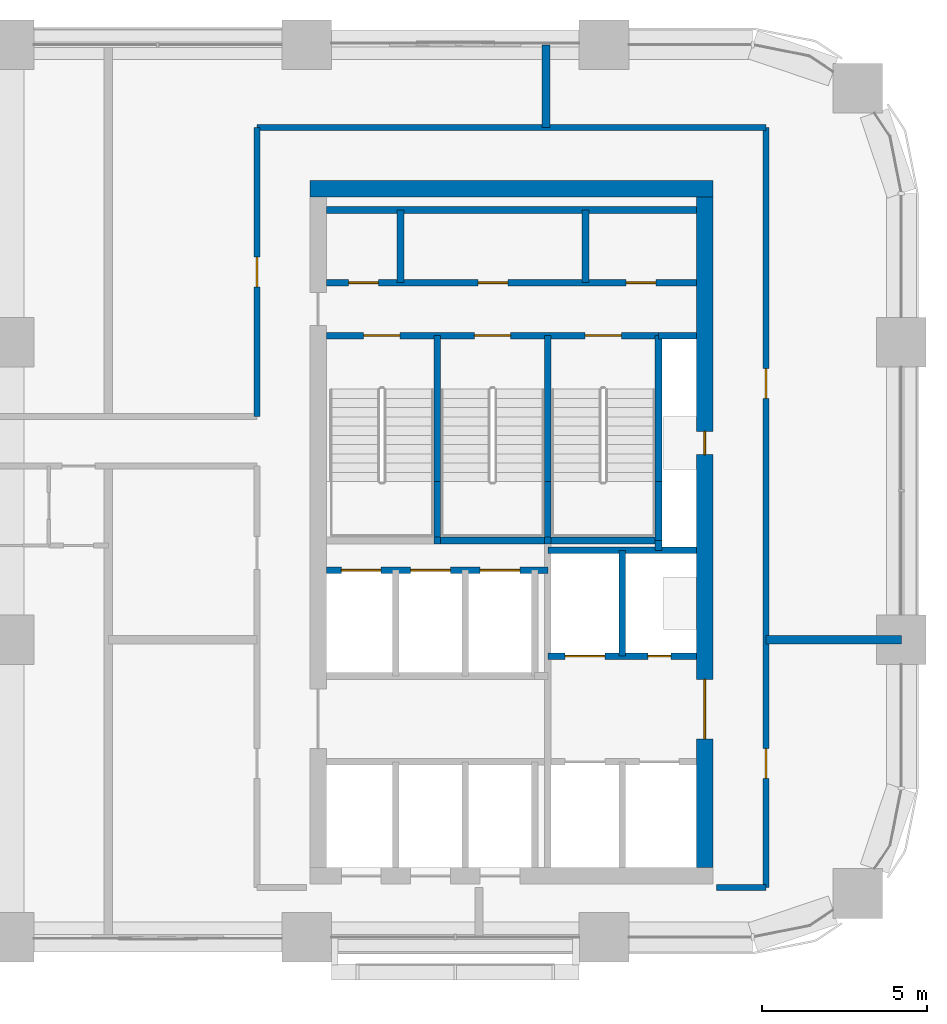
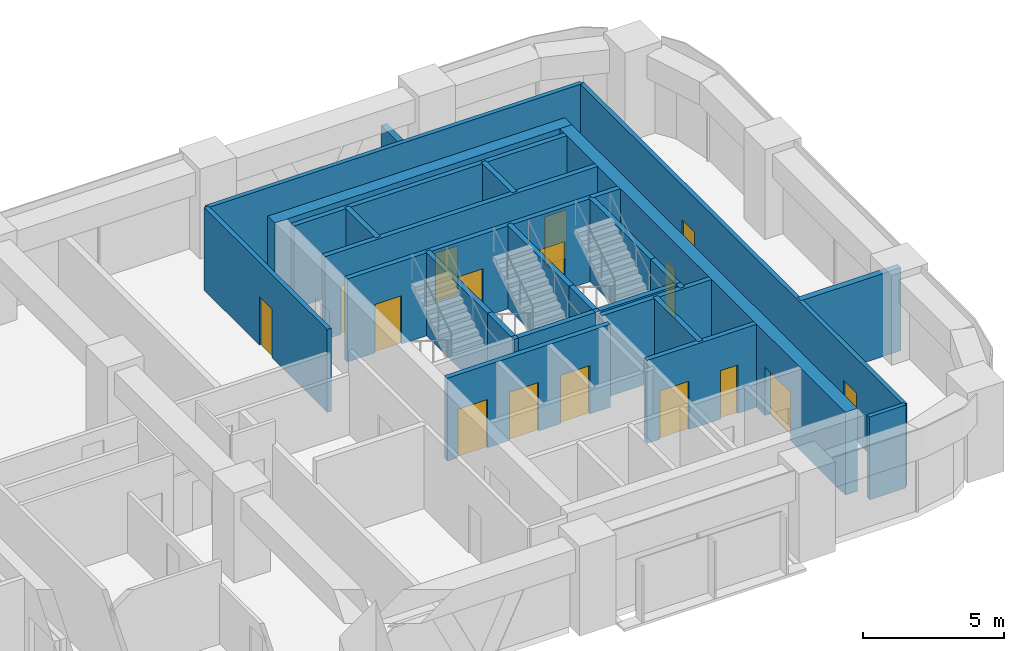
# One storey, part 10 of 13: 29 walls, 16 doors, 16 openings.
"""IFC4 building model written with IfcOpenShell, lengths in metres."""

from ifc_helpers import new_model, si_unit, direction, frame, frame_2d, origin, place, context, subcontext, project, spatial, rectangle, extrude, material, layer, layer_set, type_object, element, fill, save


model = new_model("IFC4")

# Units and contexts
model_context = context("Model", 3, precision=1e-05, world=origin(), true_north=direction((0.0, 1.0)))
body_context = subcontext(model_context, "Body", "Model", "MODEL_VIEW")
ifc_project = project(units=[si_unit("LENGTHUNIT", "METRE"), si_unit("AREAUNIT", "SQUARE_METRE"), si_unit("VOLUMEUNIT", "CUBIC_METRE"), si_unit("PLANEANGLEUNIT", "RADIAN"), si_unit("MASSUNIT", "GRAM", prefix="KILO")], contexts=[model_context])

# Site, building, storey
site_placement = place(None, origin())
site = spatial("IfcSite", under=ifc_project, at=site_placement, CompositionType="ELEMENT")
building_placement = place(site_placement, origin())
building = spatial("IfcBuilding", under=site, at=building_placement, Name="Tessera Arch", CompositionType="ELEMENT")
storey_placement = place(building_placement, frame((0.0, 0.0, 158.300048828125)))
storey = spatial("IfcBuildingStorey", under=building, at=storey_placement, Name="L37", CompositionType="ELEMENT", Elevation=158.300048828125)

# Walls
ifc_material_1 = material(Name="Gypsum board on steel stud", Category="steel")
ifc_layer_1 = layer(ifc_material_1, 0.125)
ifc_layer_set_1 = layer_set([ifc_layer_1], Name="Core partition 125 EI 60")
wall_type_1 = type_object("IfcWallType", Name="Core partition 125 EI 60", PredefinedType="PARTITIONING", material=ifc_layer_set_1)
for number, where, z_axis, x_axis, name in (
    (1, (38.840087890625, 46.800048828125, 0.0), (0.0, 0.0, 1.0), (0.0, 1.0, 0.0), "L37 C1 partition wall 3"),
    (2, (44.43994140625, 46.800048828125, 0.0), (0.0, 0.0, 1.0), (0.0, 1.0, 0.0), "L37 C1 partition wall 13"),
):
    element("IfcWall", number, at=place(storey_placement, frame(where, z_axis=z_axis, x_axis=x_axis)), inside=storey, type_object=wall_type_1, Name=name, PredefinedType="PARTITIONING", context=body_context, shape_type="SweptSolid", body=[
        extrude(rectangle(XDim=2.199951171875, YDim=0.199951171875, at=frame_2d((1.10009765625, 0.0))), origin(), (0.0, 0.0, 1.0), 3.599853515625),
    ])

# Wall, openings, doors
wall_1_placement = place(storey_placement, frame((36.60009765625, 46.800048828125, 0.0), z_axis=(0.0, 0.0, 1.0), x_axis=(1.0, 0.0, 0.0)))
wall_1 = element("IfcWall", 3, at=wall_1_placement, inside=storey, type_object=wall_type_1, Name="L37 C1 partition wall 32", PredefinedType="PARTITIONING", context=body_context, shape_type="SweptSolid", body=[
    extrude(rectangle(XDim=11.199951171875, YDim=0.199951171875, at=frame_2d((5.60009765625, 0.0))), origin(), (0.0, 0.0, 1.0), 3.599853515625),
])
opening_1_placement = place(wall_1_placement, frame((0.669921875, 0.0, 0.0)))
opening_1 = element("IfcOpeningElement", 4, at=opening_1_placement, cuts=wall_1, Name="Opening L37-C18", PredefinedType="OPENING", context=body_context, shape_type="SweptSolid", body=[
    extrude(rectangle(XDim=0.89990234375, YDim=2.10009765625, at=frame_2d((0.449951171875, 1.050048828125))), frame((0.0, 0.10986328125, 0.0), z_axis=(0.0, -1.0, 0.0), x_axis=(1.0, 0.0, 0.0)), (0.0, 0.0, 1.0), 0.219970703125),
])
opening_2_placement = place(wall_1_placement, frame((4.590087890625, 0.0, 0.0)))
opening_2 = element("IfcOpeningElement", 5, at=opening_2_placement, cuts=wall_1, Name="Opening L37-C19", PredefinedType="OPENING", context=body_context, shape_type="SweptSolid", body=[
    extrude(rectangle(XDim=0.89990234375, YDim=2.10009765625, at=frame_2d((0.449951171875, 1.050048828125))), frame((0.0, 0.10986328125, 0.0), z_axis=(0.0, -1.0, 0.0), x_axis=(1.0, 0.0, 0.0)), (0.0, 0.0, 1.0), 0.219970703125),
])
opening_3_placement = place(wall_1_placement, frame((9.070068359375, 0.0, 0.0)))
opening_3 = element("IfcOpeningElement", 6, at=opening_3_placement, cuts=wall_1, Name="Opening L37-C20", PredefinedType="OPENING", context=body_context, shape_type="SweptSolid", body=[
    extrude(rectangle(XDim=0.89990234375, YDim=2.10009765625, at=frame_2d((0.449951171875, 1.050048828125))), frame((0.0, 0.10986328125, 0.0), z_axis=(0.0, -1.0, 0.0), x_axis=(1.0, 0.0, 0.0)), (0.0, 0.0, 1.0), 0.219970703125),
])
ifc_material_2 = material(Name="Steel door leaf", Category="steel")
door_type_1 = type_object("IfcDoorType", Name="Store door FD30S 900 x 2100", OperationType="SINGLE_SWING_LEFT", PredefinedType="DOOR", material=ifc_material_2)
door_1_placement = place(opening_1_placement, origin())
door_1 = element("IfcDoor", 7, at=door_1_placement, inside=storey, type_object=door_type_1, Name="L37 C1 door 18 C18 type D09", OperationType="SINGLE_SWING_LEFT", OverallHeight=2.10009765625, OverallWidth=0.89990234375, PredefinedType="DOOR", context=body_context, shape_type="SweptSolid", body=[
    extrude(rectangle(XDim=0.89990234375, YDim=2.10009765625, at=frame_2d((0.449951171875, 1.050048828125))), frame((0.0, 0.02490234375, 0.0), z_axis=(0.0, -1.0, 0.0), x_axis=(1.0, 0.0, 0.0)), (0.0, 0.0, 1.0), 0.050048828125),
])
fill(opening_1, door_1)
door_2_placement = place(opening_2_placement, origin())
door_2 = element("IfcDoor", 8, at=door_2_placement, inside=storey, type_object=door_type_1, Name="L37 C1 door 19 C19 type D09", OperationType="SINGLE_SWING_LEFT", OverallHeight=2.10009765625, OverallWidth=0.89990234375, PredefinedType="DOOR", context=body_context, shape_type="SweptSolid", body=[
    extrude(rectangle(XDim=0.89990234375, YDim=2.10009765625, at=frame_2d((0.449951171875, 1.050048828125))), frame((0.0, 0.02490234375, 0.0), z_axis=(0.0, -1.0, 0.0), x_axis=(1.0, 0.0, 0.0)), (0.0, 0.0, 1.0), 0.050048828125),
])
fill(opening_2, door_2)
door_3_placement = place(opening_3_placement, origin())
door_3 = element("IfcDoor", 9, at=door_3_placement, inside=storey, type_object=door_type_1, Name="L37 C1 door 20 C20 type D09", OperationType="SINGLE_SWING_RIGHT", OverallHeight=2.10009765625, OverallWidth=0.89990234375, PredefinedType="DOOR", context=body_context, shape_type="SweptSolid", body=[
    extrude(rectangle(XDim=0.89990234375, YDim=2.10009765625, at=frame_2d((0.449951171875, 1.050048828125))), frame((0.0, 0.02490234375, 0.0), z_axis=(0.0, -1.0, 0.0), x_axis=(1.0, 0.0, 0.0)), (0.0, 0.0, 1.0), 0.050048828125),
])
fill(opening_3, door_3)

# Walls
wall_2_placement = place(storey_placement, frame((36.60009765625, 49.0, 0.0), z_axis=(0.0, 0.0, 1.0), x_axis=(1.0, 0.0, 0.0)))
element("IfcWall", 10, at=wall_2_placement, inside=storey, type_object=wall_type_1, Name="L37 C1 partition wall 33", PredefinedType="PARTITIONING", context=body_context, shape_type="SweptSolid", body=[
    extrude(rectangle(XDim=11.199951171875, YDim=0.199951171875, at=frame_2d((5.60009765625, 0.0))), origin(), (0.0, 0.0, 1.0), 3.599853515625),
])
ifc_material_3 = material(Name="Concrete C60/75", Category="concrete")
ifc_layer_2 = layer(ifc_material_3, 0.5)
ifc_layer_set_2 = layer_set([ifc_layer_2], Name="Core shell wall 500 C60-75")
wall_type_2 = type_object("IfcWallType", Name="Core shell wall 500 C60-75", PredefinedType="SHEAR", material=ifc_layer_set_2)
wall_3_placement = place(storey_placement, frame((36.10009765625, 49.64990234375, 0.0), z_axis=(0.0, 0.0, 1.0), x_axis=(1.0, 0.0, 0.0)))
element("IfcWall", 11, at=wall_3_placement, inside=storey, type_object=wall_type_2, Name="L37 C1 core wall N", PredefinedType="SHEAR", context=body_context, shape_type="SweptSolid", body=[
    extrude(rectangle(XDim=12.199951171875, YDim=0.5, at=frame_2d((6.10009765625, 0.0))), origin(), (0.0, 0.0, 1.0), 3.599853515625),
])

# Wall, openings, doors
wall_4_placement = place(storey_placement, frame((48.050048828125, 29.10009765625, 0.0), z_axis=(0.0, 0.0, 1.0), x_axis=(0.0, 1.0, 0.0)))
wall_4 = element("IfcWall", 12, at=wall_4_placement, inside=storey, type_object=wall_type_2, Name="L37 C1 core wall E", PredefinedType="SHEAR", context=body_context, shape_type="SweptSolid", body=[
    extrude(rectangle(XDim=20.2998046875, YDim=0.5, at=frame_2d((10.14990234375, 0.0))), origin(), (0.0, 0.0, 1.0), 3.599853515625),
])
opening_4_placement = place(wall_4_placement, frame((12.5, 0.0, 0.0)))
opening_4 = element("IfcOpeningElement", 13, at=opening_4_placement, cuts=wall_4, Name="Opening L37-C14", PredefinedType="OPENING", context=body_context, shape_type="SweptSolid", body=[
    extrude(rectangle(XDim=0.699951171875, YDim=2.10009765625, at=frame_2d((0.35009765625, 1.050048828125))), frame((0.0, 0.260009765625, 0.0), z_axis=(0.0, -1.0, 0.0), x_axis=(1.0, 0.0, 0.0)), (0.0, 0.0, 1.0), 0.52001953125),
])
opening_5_placement = place(wall_4_placement, frame((3.89990234375, 0.0, 0.0)))
opening_5 = element("IfcOpeningElement", 14, at=opening_5_placement, cuts=wall_4, Name="Opening L37-C15", PredefinedType="OPENING", context=body_context, shape_type="SweptSolid", body=[
    extrude(rectangle(XDim=1.800048828125, YDim=2.10009765625, at=frame_2d((0.89990234375, 1.050048828125))), frame((0.0, 0.260009765625, 0.0), z_axis=(0.0, -1.0, 0.0), x_axis=(1.0, 0.0, 0.0)), (0.0, 0.0, 1.0), 0.52001953125),
])
ifc_material_4 = material(Name="Glazed steel door leaf", Category="steel")
door_type_2 = type_object("IfcDoorType", Name="Lobby double door FD60 1800 x 2100", OperationType="DOUBLE_DOOR_SINGLE_SWING", PredefinedType="DOOR", material=ifc_material_4)
door_4_placement = place(opening_5_placement, origin())
door_4 = element("IfcDoor", 15, at=door_4_placement, inside=storey, type_object=door_type_2, Name="L37 C1 door 15 C15 type D19", OperationType="DOUBLE_DOOR_SINGLE_SWING", OverallHeight=2.10009765625, OverallWidth=1.800048828125, PredefinedType="DOOR", context=body_context, shape_type="SweptSolid", body=[
    extrude(rectangle(XDim=1.800048828125, YDim=2.10009765625, at=frame_2d((0.89990234375, 1.050048828125))), frame((0.0, 0.02490234375, 0.0), z_axis=(0.0, -1.0, 0.0), x_axis=(1.0, 0.0, 0.0)), (0.0, 0.0, 1.0), 0.050048828125),
])
fill(opening_5, door_4)
ifc_material_5 = material(Name="Steel door leaf", Category="steel")
door_type_3 = type_object("IfcDoorType", Name="Service shaft door FD60 700 x 2100", OperationType="SINGLE_SWING_LEFT", PredefinedType="DOOR", material=ifc_material_5)
door_5_placement = place(opening_4_placement, origin())
door_5 = element("IfcDoor", 16, at=door_5_placement, inside=storey, type_object=door_type_3, Name="L37 C1 door 14 C14 type D07", OperationType="SINGLE_SWING_RIGHT", OverallHeight=2.10009765625, OverallWidth=0.699951171875, PredefinedType="DOOR", context=body_context, shape_type="SweptSolid", body=[
    extrude(rectangle(XDim=0.699951171875, YDim=2.10009765625, at=frame_2d((0.35009765625, 1.050048828125))), frame((0.0, 0.02490234375, 0.0), z_axis=(0.0, -1.0, 0.0), x_axis=(1.0, 0.0, 0.0)), (0.0, 0.0, 1.0), 0.050048828125),
])
fill(opening_4, door_5)

# Walls
ifc_material_6 = material(Name="Gypsum board on deep steel stud with mineral wool", Category="steel")
ifc_layer_3 = layer(ifc_material_6, 0.175048828125)
ifc_layer_set_3 = layer_set([ifc_layer_3], Name="Corridor wall 175 EI 60")
wall_type_3 = type_object("IfcWallType", Name="Corridor wall 175 EI 60", PredefinedType="PARTITIONING", material=ifc_layer_set_3)
wall_5_placement = place(storey_placement, frame((48.39990234375, 28.5, 0.0), z_axis=(0.0, 0.0, 1.0), x_axis=(1.0, 0.0, 0.0)))
element("IfcWall", 17, at=wall_5_placement, inside=storey, type_object=wall_type_3, Name="L37 partition 4", PredefinedType="PARTITIONING", context=body_context, shape_type="SweptSolid", body=[
    extrude(rectangle(XDim=1.5, YDim=0.175048828125, at=frame_2d((0.75, 0.0))), origin(), (0.0, 0.0, 1.0), 3.599853515625),
])
wall_6_placement = place(storey_placement, frame((34.5, 51.5, 0.0), z_axis=(0.0, 0.0, 1.0), x_axis=(1.0, 0.0, 0.0)))
element("IfcWall", 18, at=wall_6_placement, inside=storey, type_object=wall_type_3, Name="L37 partition 8", PredefinedType="PARTITIONING", context=body_context, shape_type="SweptSolid", body=[
    extrude(rectangle(XDim=15.39990234375, YDim=0.175048828125, at=frame_2d((7.699951171875, 0.0))), origin(), (0.0, 0.0, 1.0), 3.599853515625),
])

# Wall, opening, door
wall_7_placement = place(storey_placement, frame((34.5, 42.75, 0.0), z_axis=(0.0, 0.0, 1.0), x_axis=(0.0, 1.0, 0.0)))
wall_7 = element("IfcWall", 19, at=wall_7_placement, inside=storey, type_object=wall_type_3, Name="L37 partition 13", PredefinedType="PARTITIONING", context=body_context, shape_type="SweptSolid", body=[
    extrude(rectangle(XDim=8.75, YDim=0.175048828125, at=frame_2d((4.375, 0.0))), origin(), (0.0, 0.0, 1.0), 3.599853515625),
])
opening_6_placement = place(wall_7_placement, frame((3.925048828125, 0.0, 0.0)))
opening_6 = element("IfcOpeningElement", 20, at=opening_6_placement, cuts=wall_7, Name="Opening L37-D014", PredefinedType="OPENING", context=body_context, shape_type="SweptSolid", body=[
    extrude(rectangle(XDim=0.89990234375, YDim=2.10009765625, at=frame_2d((0.449951171875, 1.050048828125))), frame((0.0, 0.097412109375, 0.0), z_axis=(0.0, -1.0, 0.0), x_axis=(1.0, 0.0, 0.0)), (0.0, 0.0, 1.0), 0.195068359375),
])
ifc_material_7 = material(Name="Timber door leaf", Category="wood")
door_type_4 = type_object("IfcDoorType", Name="Room door 900 x 2100", OperationType="SINGLE_SWING_LEFT", PredefinedType="DOOR", material=ifc_material_7)
door_6_placement = place(opening_6_placement, origin())
door_6 = element("IfcDoor", 21, at=door_6_placement, inside=storey, type_object=door_type_4, Name="L37 door D014 type D01", OperationType="SINGLE_SWING_RIGHT", OverallHeight=2.10009765625, OverallWidth=0.89990234375, PredefinedType="DOOR", context=body_context, shape_type="SweptSolid", body=[
    extrude(rectangle(XDim=0.89990234375, YDim=2.10009765625, at=frame_2d((0.449951171875, 1.050048828125))), frame((0.0, 0.02490234375, 0.0), z_axis=(0.0, -1.0, 0.0), x_axis=(1.0, 0.0, 0.0)), (0.0, 0.0, 1.0), 0.050048828125),
])
fill(opening_6, door_6)

# Wall, openings, doors
wall_8_placement = place(storey_placement, frame((49.89990234375, 28.5, 0.0), z_axis=(0.0, 0.0, 1.0), x_axis=(0.0, 1.0, 0.0)))
wall_8 = element("IfcWall", 22, at=wall_8_placement, inside=storey, type_object=wall_type_3, Name="L37 partition 14", PredefinedType="PARTITIONING", context=body_context, shape_type="SweptSolid", body=[
    extrude(rectangle(XDim=23.0, YDim=0.175048828125, at=frame_2d((11.5, 0.0))), origin(), (0.0, 0.0, 1.0), 3.599853515625),
])
opening_7_placement = place(wall_8_placement, frame((3.300048828125, 0.0, 0.0)))
opening_7 = element("IfcOpeningElement", 23, at=opening_7_placement, cuts=wall_8, Name="Opening L37-D002", PredefinedType="OPENING", context=body_context, shape_type="SweptSolid", body=[
    extrude(rectangle(XDim=0.89990234375, YDim=2.10009765625, at=frame_2d((0.449951171875, 1.050048828125))), frame((0.0, 0.097412109375, 0.0), z_axis=(0.0, -1.0, 0.0), x_axis=(1.0, 0.0, 0.0)), (0.0, 0.0, 1.0), 0.195068359375),
])
opening_8_placement = place(wall_8_placement, frame((14.800048828125, 0.0, 0.0)))
opening_8 = element("IfcOpeningElement", 24, at=opening_8_placement, cuts=wall_8, Name="Opening L37-D012", PredefinedType="OPENING", context=body_context, shape_type="SweptSolid", body=[
    extrude(rectangle(XDim=0.89990234375, YDim=2.10009765625, at=frame_2d((0.449951171875, 1.050048828125))), frame((0.0, 0.097412109375, 0.0), z_axis=(0.0, -1.0, 0.0), x_axis=(1.0, 0.0, 0.0)), (0.0, 0.0, 1.0), 0.195068359375),
])
door_7_placement = place(opening_7_placement, origin())
door_7 = element("IfcDoor", 25, at=door_7_placement, inside=storey, type_object=door_type_4, Name="L37 door D002 type D01", OperationType="SINGLE_SWING_LEFT", OverallHeight=2.10009765625, OverallWidth=0.89990234375, PredefinedType="DOOR", context=body_context, shape_type="SweptSolid", body=[
    extrude(rectangle(XDim=0.89990234375, YDim=2.10009765625, at=frame_2d((0.449951171875, 1.050048828125))), frame((0.0, 0.02490234375, 0.0), z_axis=(0.0, -1.0, 0.0), x_axis=(1.0, 0.0, 0.0)), (0.0, 0.0, 1.0), 0.050048828125),
])
fill(opening_7, door_7)
door_8_placement = place(opening_8_placement, origin())
door_8 = element("IfcDoor", 26, at=door_8_placement, inside=storey, type_object=door_type_4, Name="L37 door D012 type D01", OperationType="SINGLE_SWING_LEFT", OverallHeight=2.10009765625, OverallWidth=0.89990234375, PredefinedType="DOOR", context=body_context, shape_type="SweptSolid", body=[
    extrude(rectangle(XDim=0.89990234375, YDim=2.10009765625, at=frame_2d((0.449951171875, 1.050048828125))), frame((0.0, 0.02490234375, 0.0), z_axis=(0.0, -1.0, 0.0), x_axis=(1.0, 0.0, 0.0)), (0.0, 0.0, 1.0), 0.050048828125),
])
fill(opening_8, door_8)

# Walls
ifc_material_8 = material(Name="Double gypsum board on twin steel stud with acoustic mineral wool", Category="steel")
ifc_layer_4 = layer(ifc_material_8, 0.25)
ifc_layer_set_4 = layer_set([ifc_layer_4], Name="Party wall 250 EI 60")
wall_type_4 = type_object("IfcWallType", Name="Party wall 250 EI 60", PredefinedType="PARTITIONING", material=ifc_layer_set_4)
wall_9_placement = place(storey_placement, frame((49.89990234375, 36.0, 0.0), z_axis=(0.0, 0.0, 1.0), x_axis=(1.0, 0.0, 0.0)))
element("IfcWall", 27, at=wall_9_placement, inside=storey, type_object=wall_type_4, Name="L37 partition 20", PredefinedType="PARTITIONING", context=body_context, shape_type="SweptSolid", body=[
    extrude(rectangle(XDim=4.10009765625, YDim=0.25, at=frame_2d((2.050048828125, 0.0))), origin(), (0.0, 0.0, 1.0), 3.599853515625),
])
wall_10_placement = place(storey_placement, frame((43.241943359375, 51.5, 0.0), z_axis=(0.0, 0.0, 1.0), x_axis=(0.0, 1.0, 0.0)))
element("IfcWall", 28, at=wall_10_placement, inside=storey, type_object=wall_type_4, Name="L37 partition 26", PredefinedType="PARTITIONING", context=body_context, shape_type="SweptSolid", body=[
    extrude(rectangle(XDim=2.5, YDim=0.25, at=frame_2d((1.25, 0.0))), origin(), (0.0, 0.0, 1.0), 2.599853515625),
])
ifc_material_9 = material(Name="Concrete C40/50", Category="concrete")
ifc_layer_5 = layer(ifc_material_9, 0.199951171875)
ifc_layer_set_5 = layer_set([ifc_layer_5], Name="Shaft wall 200 EI 120")
wall_type_5 = type_object("IfcWallType", Name="Shaft wall 200 EI 120", PredefinedType="SOLIDWALL", material=ifc_layer_set_5)
wall_11_placement = place(storey_placement, frame((45.550048828125, 35.5, 0.0), z_axis=(0.0, 0.0, 1.0), x_axis=(0.0, 1.0, 0.0)))
element("IfcWall", 29, at=wall_11_placement, inside=storey, type_object=wall_type_5, Name="L37 C1 shaft wall 15", PredefinedType="SOLIDWALL", context=body_context, shape_type="SweptSolid", body=[
    extrude(rectangle(XDim=3.199951171875, YDim=0.199951171875, at=frame_2d((1.60009765625, 0.0))), origin(), (0.0, 0.0, 1.0), 3.599853515625),
])
wall_12_placement = place(storey_placement, frame((46.64990234375, 38.699951171875, 0.0), z_axis=(0.0, 0.0, 1.0), x_axis=(0.0, 1.0, 0.0)))
element("IfcWall", 30, at=wall_12_placement, inside=storey, type_object=wall_type_5, Name="L37 C1 shaft wall 16", PredefinedType="SOLIDWALL", context=body_context, shape_type="SweptSolid", body=[
    extrude(rectangle(XDim=0.300048828125, YDim=0.199951171875, at=frame_2d((0.14990234375, 0.0))), origin(), (0.0, 0.0, 1.0), 3.599853515625),
])

# Wall, openings, doors
wall_13_placement = place(storey_placement, frame((43.300048828125, 35.5, 0.0), z_axis=(0.0, 0.0, 1.0), x_axis=(1.0, 0.0, 0.0)))
wall_13 = element("IfcWall", 31, at=wall_13_placement, inside=storey, type_object=wall_type_5, Name="L37 C1 shaft wall 22", PredefinedType="SOLIDWALL", context=body_context, shape_type="SweptSolid", body=[
    extrude(rectangle(XDim=4.5, YDim=0.199951171875, at=frame_2d((2.25, 0.0))), origin(), (0.0, 0.0, 1.0), 3.599853515625),
])
opening_9_placement = place(wall_13_placement, frame((0.52490234375, 0.0, 0.0)))
opening_9 = element("IfcOpeningElement", 32, at=opening_9_placement, cuts=wall_13, Name="Opening L37-C09", PredefinedType="OPENING", context=body_context, shape_type="SweptSolid", body=[
    extrude(rectangle(XDim=1.199951171875, YDim=2.10009765625, at=frame_2d((0.60009765625, 1.050048828125))), frame((0.0, 0.10986328125, 0.0), z_axis=(0.0, -1.0, 0.0), x_axis=(1.0, 0.0, 0.0)), (0.0, 0.0, 1.0), 0.219970703125),
])
opening_10_placement = place(wall_13_placement, frame((3.02490234375, 0.0, 0.0)))
opening_10 = element("IfcOpeningElement", 33, at=opening_10_placement, cuts=wall_13, Name="Opening L37-C16", PredefinedType="OPENING", context=body_context, shape_type="SweptSolid", body=[
    extrude(rectangle(XDim=0.699951171875, YDim=2.10009765625, at=frame_2d((0.35009765625, 1.050048828125))), frame((0.0, 0.10986328125, 0.0), z_axis=(0.0, -1.0, 0.0), x_axis=(1.0, 0.0, 0.0)), (0.0, 0.0, 1.0), 0.219970703125),
])
door_9_placement = place(opening_10_placement, origin())
door_9 = element("IfcDoor", 34, at=door_9_placement, inside=storey, type_object=door_type_3, Name="L37 C1 door 16 C16 type D07", OperationType="SINGLE_SWING_RIGHT", OverallHeight=2.10009765625, OverallWidth=0.699951171875, PredefinedType="DOOR", context=body_context, shape_type="SweptSolid", body=[
    extrude(rectangle(XDim=0.699951171875, YDim=2.10009765625, at=frame_2d((0.35009765625, 1.050048828125))), frame((0.0, 0.02490234375, 0.0), z_axis=(0.0, -1.0, 0.0), x_axis=(1.0, 0.0, 0.0)), (0.0, 0.0, 1.0), 0.050048828125),
])
fill(opening_10, door_9)
ifc_material_10 = material(Name="Stainless steel AISI 304", Category="steel")
door_type_5 = type_object("IfcDoorType", Name="Sliding landing door 1200 x 2100", OperationType="SLIDING_TO_LEFT", PredefinedType="DOOR", material=ifc_material_10)
door_10_placement = place(opening_9_placement, origin())
door_10 = element("IfcDoor", 35, at=door_10_placement, inside=storey, type_object=door_type_5, Name="L37 SV2 lift landing door C09 type LD", OperationType="SLIDING_TO_LEFT", OverallHeight=2.10009765625, OverallWidth=1.199951171875, PredefinedType="DOOR", context=body_context, shape_type="SweptSolid", body=[
    extrude(rectangle(XDim=1.199951171875, YDim=2.10009765625, at=frame_2d((0.60009765625, 1.050048828125))), frame((0.0, 0.02490234375, 0.0), z_axis=(0.0, -1.0, 0.0), x_axis=(1.0, 0.0, 0.0)), (0.0, 0.0, 1.0), 0.050048828125),
])
fill(opening_9, door_10)

wall_14_placement = place(storey_placement, frame((36.60009765625, 38.10009765625, 0.0), z_axis=(0.0, 0.0, 1.0), x_axis=(1.0, 0.0, 0.0)))
wall_14 = element("IfcWall", 36, at=wall_14_placement, inside=storey, type_object=wall_type_5, Name="L37 C1 shaft wall 23", PredefinedType="SOLIDWALL", context=body_context, shape_type="SweptSolid", body=[
    extrude(rectangle(XDim=6.699951171875, YDim=0.199951171875, at=frame_2d((3.35009765625, 0.0))), origin(), (0.0, 0.0, 1.0), 3.599853515625),
])
opening_11_placement = place(wall_14_placement, frame((0.449951171875, 0.0, 0.0)))
opening_11 = element("IfcOpeningElement", 37, at=opening_11_placement, cuts=wall_14, Name="Opening L37-C02", PredefinedType="OPENING", context=body_context, shape_type="SweptSolid", body=[
    extrude(rectangle(XDim=1.199951171875, YDim=2.10009765625, at=frame_2d((0.60009765625, 1.050048828125))), frame((0.0, 0.10986328125, 0.0), z_axis=(0.0, -1.0, 0.0), x_axis=(1.0, 0.0, 0.0)), (0.0, 0.0, 1.0), 0.219970703125),
])
opening_12_placement = place(wall_14_placement, frame((2.550048828125, 0.0, 0.0)))
opening_12 = element("IfcOpeningElement", 38, at=opening_12_placement, cuts=wall_14, Name="Opening L37-C04", PredefinedType="OPENING", context=body_context, shape_type="SweptSolid", body=[
    extrude(rectangle(XDim=1.199951171875, YDim=2.10009765625, at=frame_2d((0.60009765625, 1.050048828125))), frame((0.0, 0.10986328125, 0.0), z_axis=(0.0, -1.0, 0.0), x_axis=(1.0, 0.0, 0.0)), (0.0, 0.0, 1.0), 0.219970703125),
])
opening_13_placement = place(wall_14_placement, frame((4.64990234375, 0.0, 0.0)))
opening_13 = element("IfcOpeningElement", 39, at=opening_13_placement, cuts=wall_14, Name="Opening L37-C06", PredefinedType="OPENING", context=body_context, shape_type="SweptSolid", body=[
    extrude(rectangle(XDim=1.199951171875, YDim=2.10009765625, at=frame_2d((0.60009765625, 1.050048828125))), frame((0.0, 0.10986328125, 0.0), z_axis=(0.0, -1.0, 0.0), x_axis=(1.0, 0.0, 0.0)), (0.0, 0.0, 1.0), 0.219970703125),
])
door_11_placement = place(opening_11_placement, origin())
door_11 = element("IfcDoor", 40, at=door_11_placement, inside=storey, type_object=door_type_5, Name="L37 HR4 lift landing door C02 type LD", OperationType="SLIDING_TO_LEFT", OverallHeight=2.10009765625, OverallWidth=1.199951171875, PredefinedType="DOOR", context=body_context, shape_type="SweptSolid", body=[
    extrude(rectangle(XDim=1.199951171875, YDim=2.10009765625, at=frame_2d((0.60009765625, 1.050048828125))), frame((0.0, 0.02490234375, 0.0), z_axis=(0.0, -1.0, 0.0), x_axis=(1.0, 0.0, 0.0)), (0.0, 0.0, 1.0), 0.050048828125),
])
fill(opening_11, door_11)
door_12_placement = place(opening_12_placement, origin())
door_12 = element("IfcDoor", 41, at=door_12_placement, inside=storey, type_object=door_type_5, Name="L37 HR5 lift landing door C04 type LD", OperationType="SLIDING_TO_LEFT", OverallHeight=2.10009765625, OverallWidth=1.199951171875, PredefinedType="DOOR", context=body_context, shape_type="SweptSolid", body=[
    extrude(rectangle(XDim=1.199951171875, YDim=2.10009765625, at=frame_2d((0.60009765625, 1.050048828125))), frame((0.0, 0.02490234375, 0.0), z_axis=(0.0, -1.0, 0.0), x_axis=(1.0, 0.0, 0.0)), (0.0, 0.0, 1.0), 0.050048828125),
])
fill(opening_12, door_12)
door_13_placement = place(opening_13_placement, origin())
door_13 = element("IfcDoor", 42, at=door_13_placement, inside=storey, type_object=door_type_5, Name="L37 HR6 lift landing door C06 type LD", OperationType="SLIDING_TO_LEFT", OverallHeight=2.10009765625, OverallWidth=1.199951171875, PredefinedType="DOOR", context=body_context, shape_type="SweptSolid", body=[
    extrude(rectangle(XDim=1.199951171875, YDim=2.10009765625, at=frame_2d((0.60009765625, 1.050048828125))), frame((0.0, 0.02490234375, 0.0), z_axis=(0.0, -1.0, 0.0), x_axis=(1.0, 0.0, 0.0)), (0.0, 0.0, 1.0), 0.050048828125),
])
fill(opening_13, door_13)

# Walls
wall_15_placement = place(storey_placement, frame((43.300048828125, 38.699951171875, 0.0), z_axis=(0.0, 0.0, 1.0), x_axis=(1.0, 0.0, 0.0)))
element("IfcWall", 43, at=wall_15_placement, inside=storey, type_object=wall_type_5, Name="L37 C1 shaft wall 24", PredefinedType="SOLIDWALL", context=body_context, shape_type="SweptSolid", body=[
    extrude(rectangle(XDim=4.5, YDim=0.199951171875, at=frame_2d((2.25, 0.0))), origin(), (0.0, 0.0, 1.0), 3.599853515625),
])
wall_16_placement = place(storey_placement, frame((46.64990234375, 45.199951171875, 0.0), z_axis=(0.0, 0.0, 1.0), x_axis=(1.0, 0.0, 0.0)))
element("IfcWall", 44, at=wall_16_placement, inside=storey, type_object=wall_type_5, Name="L37 C1 shaft wall 30", PredefinedType="SOLIDWALL", context=body_context, shape_type="SweptSolid", body=[
    extrude(rectangle(XDim=1.150146484375, YDim=0.199951171875, at=frame_2d((0.5751953125, 0.0))), origin(), (0.0, 0.0, 1.0), 3.599853515625),
])
ifc_material_11 = material(Name="Concrete C40/50", Category="concrete")
ifc_layer_6 = layer(ifc_material_11, 0.199951171875)
ifc_layer_set_6 = layer_set([ifc_layer_6], Name="Stair well wall 200 REI 180")
wall_type_6 = type_object("IfcWallType", Name="Stair well wall 200 REI 180", PredefinedType="SOLIDWALL", material=ifc_layer_set_6)
wall_17_placement = place(storey_placement, frame((39.949951171875, 39.0, 0.0), z_axis=(0.0, 0.0, 1.0), x_axis=(0.0, 1.0, 0.0)))
element("IfcWall", 45, at=wall_17_placement, inside=storey, type_object=wall_type_6, Name="L37 C1 shaft wall 4", PredefinedType="SOLIDWALL", context=body_context, shape_type="SweptSolid", body=[
    extrude(rectangle(XDim=1.780029296875, YDim=0.199951171875, at=frame_2d((0.89013671875, 0.0))), origin(), (0.0, 0.0, 1.0), 3.599853515625),
])
wall_18_placement = place(storey_placement, frame((39.949951171875, 40.780029296875, 0.0), z_axis=(0.0, 0.0, 1.0), x_axis=(0.0, 1.0, 0.0)))
element("IfcWall", 46, at=wall_18_placement, inside=storey, type_object=wall_type_6, Name="L37 C1 shaft wall 5", PredefinedType="SOLIDWALL", context=body_context, shape_type="SweptSolid", body=[
    extrude(rectangle(XDim=4.419921875, YDim=0.199951171875, at=frame_2d((2.2099609375, 0.0))), origin(), (0.0, 0.0, 1.0), 3.599853515625),
])
wall_19_placement = place(storey_placement, frame((43.300048828125, 39.0, 0.0), z_axis=(0.0, 0.0, 1.0), x_axis=(0.0, 1.0, 0.0)))
element("IfcWall", 47, at=wall_19_placement, inside=storey, type_object=wall_type_6, Name="L37 C1 shaft wall 11", PredefinedType="SOLIDWALL", context=body_context, shape_type="SweptSolid", body=[
    extrude(rectangle(XDim=1.780029296875, YDim=0.199951171875, at=frame_2d((0.89013671875, 0.0))), origin(), (0.0, 0.0, 1.0), 3.599853515625),
])
wall_20_placement = place(storey_placement, frame((43.300048828125, 40.780029296875, 0.0), z_axis=(0.0, 0.0, 1.0), x_axis=(0.0, 1.0, 0.0)))
element("IfcWall", 48, at=wall_20_placement, inside=storey, type_object=wall_type_6, Name="L37 C1 shaft wall 12", PredefinedType="SOLIDWALL", context=body_context, shape_type="SweptSolid", body=[
    extrude(rectangle(XDim=4.419921875, YDim=0.199951171875, at=frame_2d((2.2099609375, 0.0))), origin(), (0.0, 0.0, 1.0), 3.599853515625),
])
wall_21_placement = place(storey_placement, frame((46.64990234375, 39.0, 0.0), z_axis=(0.0, 0.0, 1.0), x_axis=(0.0, 1.0, 0.0)))
element("IfcWall", 49, at=wall_21_placement, inside=storey, type_object=wall_type_6, Name="L37 C1 shaft wall 17", PredefinedType="SOLIDWALL", context=body_context, shape_type="SweptSolid", body=[
    extrude(rectangle(XDim=1.780029296875, YDim=0.199951171875, at=frame_2d((0.89013671875, 0.0))), origin(), (0.0, 0.0, 1.0), 3.599853515625),
])
wall_22_placement = place(storey_placement, frame((46.64990234375, 40.780029296875, 0.0), z_axis=(0.0, 0.0, 1.0), x_axis=(0.0, 1.0, 0.0)))
element("IfcWall", 50, at=wall_22_placement, inside=storey, type_object=wall_type_6, Name="L37 C1 shaft wall 18", PredefinedType="SOLIDWALL", context=body_context, shape_type="SweptSolid", body=[
    extrude(rectangle(XDim=4.419921875, YDim=0.199951171875, at=frame_2d((2.2099609375, 0.0))), origin(), (0.0, 0.0, 1.0), 3.599853515625),
])
wall_23_placement = place(storey_placement, frame((39.85009765625, 39.0, 0.0), z_axis=(0.0, 0.0, 1.0), x_axis=(1.0, 0.0, 0.0)))
element("IfcWall", 51, at=wall_23_placement, inside=storey, type_object=wall_type_6, Name="L37 C1 shaft wall 26", PredefinedType="SOLIDWALL", context=body_context, shape_type="SweptSolid", body=[
    extrude(rectangle(XDim=0.199951171875, YDim=0.199951171875, at=frame_2d((0.10009765625, 0.0))), origin(), (0.0, 0.0, 1.0), 3.599853515625),
])
wall_24_placement = place(storey_placement, frame((40.050048828125, 39.0, 0.0), z_axis=(0.0, 0.0, 1.0), x_axis=(1.0, 0.0, 0.0)))
element("IfcWall", 52, at=wall_24_placement, inside=storey, type_object=wall_type_6, Name="L37 C1 shaft wall 27", PredefinedType="SOLIDWALL", context=body_context, shape_type="SweptSolid", body=[
    extrude(rectangle(XDim=3.14990234375, YDim=0.199951171875, at=frame_2d((1.574951171875, 0.0))), origin(), (0.0, 0.0, 1.0), 3.599853515625),
])
wall_25_placement = place(storey_placement, frame((43.199951171875, 39.0, 0.0), z_axis=(0.0, 0.0, 1.0), x_axis=(1.0, 0.0, 0.0)))
element("IfcWall", 53, at=wall_25_placement, inside=storey, type_object=wall_type_6, Name="L37 C1 shaft wall 28", PredefinedType="SOLIDWALL", context=body_context, shape_type="SweptSolid", body=[
    extrude(rectangle(XDim=0.199951171875, YDim=0.199951171875, at=frame_2d((0.10009765625, 0.0))), origin(), (0.0, 0.0, 1.0), 3.599853515625),
])
wall_26_placement = place(storey_placement, frame((43.39990234375, 39.0, 0.0), z_axis=(0.0, 0.0, 1.0), x_axis=(1.0, 0.0, 0.0)))
element("IfcWall", 54, at=wall_26_placement, inside=storey, type_object=wall_type_6, Name="L37 C1 shaft wall 29", PredefinedType="SOLIDWALL", context=body_context, shape_type="SweptSolid", body=[
    extrude(rectangle(XDim=3.25, YDim=0.199951171875, at=frame_2d((1.625, 0.0))), origin(), (0.0, 0.0, 1.0), 3.599853515625),
])

# Wall, openings, doors
wall_27_placement = place(storey_placement, frame((36.60009765625, 45.199951171875, 0.0), z_axis=(0.0, 0.0, 1.0), x_axis=(1.0, 0.0, 0.0)))
wall_27 = element("IfcWall", 55, at=wall_27_placement, inside=storey, type_object=wall_type_6, Name="L37 C1 shaft wall 31", PredefinedType="SOLIDWALL", context=body_context, shape_type="SweptSolid", body=[
    extrude(rectangle(XDim=10.0498046875, YDim=0.199951171875, at=frame_2d((5.02490234375, 0.0))), origin(), (0.0, 0.0, 1.0), 3.599853515625),
])
opening_14_placement = place(wall_27_placement, frame((1.125, 0.0, 0.0)))
opening_14 = element("IfcOpeningElement", 56, at=opening_14_placement, cuts=wall_27, Name="Opening L37-C11", PredefinedType="OPENING", context=body_context, shape_type="SweptSolid", body=[
    extrude(rectangle(XDim=1.10009765625, YDim=2.10009765625, at=frame_2d((0.550048828125, 1.050048828125))), frame((0.0, 0.10986328125, 0.0), z_axis=(0.0, -1.0, 0.0), x_axis=(1.0, 0.0, 0.0)), (0.0, 0.0, 1.0), 0.219970703125),
])
opening_15_placement = place(wall_27_placement, frame((4.47509765625, 0.0, 0.0)))
opening_15 = element("IfcOpeningElement", 57, at=opening_15_placement, cuts=wall_27, Name="Opening L37-C12", PredefinedType="OPENING", context=body_context, shape_type="SweptSolid", body=[
    extrude(rectangle(XDim=1.10009765625, YDim=2.10009765625, at=frame_2d((0.550048828125, 1.050048828125))), frame((0.0, 0.10986328125, 0.0), z_axis=(0.0, -1.0, 0.0), x_axis=(1.0, 0.0, 0.0)), (0.0, 0.0, 1.0), 0.219970703125),
])
opening_16_placement = place(wall_27_placement, frame((7.824951171875, 0.0, 0.0)))
opening_16 = element("IfcOpeningElement", 58, at=opening_16_placement, cuts=wall_27, Name="Opening L37-C13", PredefinedType="OPENING", context=body_context, shape_type="SweptSolid", body=[
    extrude(rectangle(XDim=1.10009765625, YDim=2.10009765625, at=frame_2d((0.550048828125, 1.050048828125))), frame((0.0, 0.10986328125, 0.0), z_axis=(0.0, -1.0, 0.0), x_axis=(1.0, 0.0, 0.0)), (0.0, 0.0, 1.0), 0.219970703125),
])
ifc_material_12 = material(Name="Steel door leaf", Category="steel")
door_type_6 = type_object("IfcDoorType", Name="Stair door FD60 1100 x 2100", OperationType="SINGLE_SWING_LEFT", PredefinedType="DOOR", material=ifc_material_12)
door_14_placement = place(opening_14_placement, origin())
door_14 = element("IfcDoor", 59, at=door_14_placement, inside=storey, type_object=door_type_6, Name="L37 C1 door 11 C11 type D05", OperationType="SINGLE_SWING_LEFT", OverallHeight=2.10009765625, OverallWidth=1.10009765625, PredefinedType="DOOR", context=body_context, shape_type="SweptSolid", body=[
    extrude(rectangle(XDim=1.10009765625, YDim=2.10009765625, at=frame_2d((0.550048828125, 1.050048828125))), frame((0.0, 0.02490234375, 0.0), z_axis=(0.0, -1.0, 0.0), x_axis=(1.0, 0.0, 0.0)), (0.0, 0.0, 1.0), 0.050048828125),
])
fill(opening_14, door_14)
door_15_placement = place(opening_15_placement, origin())
door_15 = element("IfcDoor", 60, at=door_15_placement, inside=storey, type_object=door_type_6, Name="L37 C1 door 12 C12 type D05", OperationType="SINGLE_SWING_RIGHT", OverallHeight=2.10009765625, OverallWidth=1.10009765625, PredefinedType="DOOR", context=body_context, shape_type="SweptSolid", body=[
    extrude(rectangle(XDim=1.10009765625, YDim=2.10009765625, at=frame_2d((0.550048828125, 1.050048828125))), frame((0.0, 0.02490234375, 0.0), z_axis=(0.0, -1.0, 0.0), x_axis=(1.0, 0.0, 0.0)), (0.0, 0.0, 1.0), 0.050048828125),
])
fill(opening_15, door_15)
door_16_placement = place(opening_16_placement, origin())
door_16 = element("IfcDoor", 61, at=door_16_placement, inside=storey, type_object=door_type_6, Name="L37 C1 door 13 C13 type D05", OperationType="SINGLE_SWING_RIGHT", OverallHeight=2.10009765625, OverallWidth=1.10009765625, PredefinedType="DOOR", context=body_context, shape_type="SweptSolid", body=[
    extrude(rectangle(XDim=1.10009765625, YDim=2.10009765625, at=frame_2d((0.550048828125, 1.050048828125))), frame((0.0, 0.02490234375, 0.0), z_axis=(0.0, -1.0, 0.0), x_axis=(1.0, 0.0, 0.0)), (0.0, 0.0, 1.0), 0.050048828125),
])
fill(opening_16, door_16)

save(model, "model.ifc")
